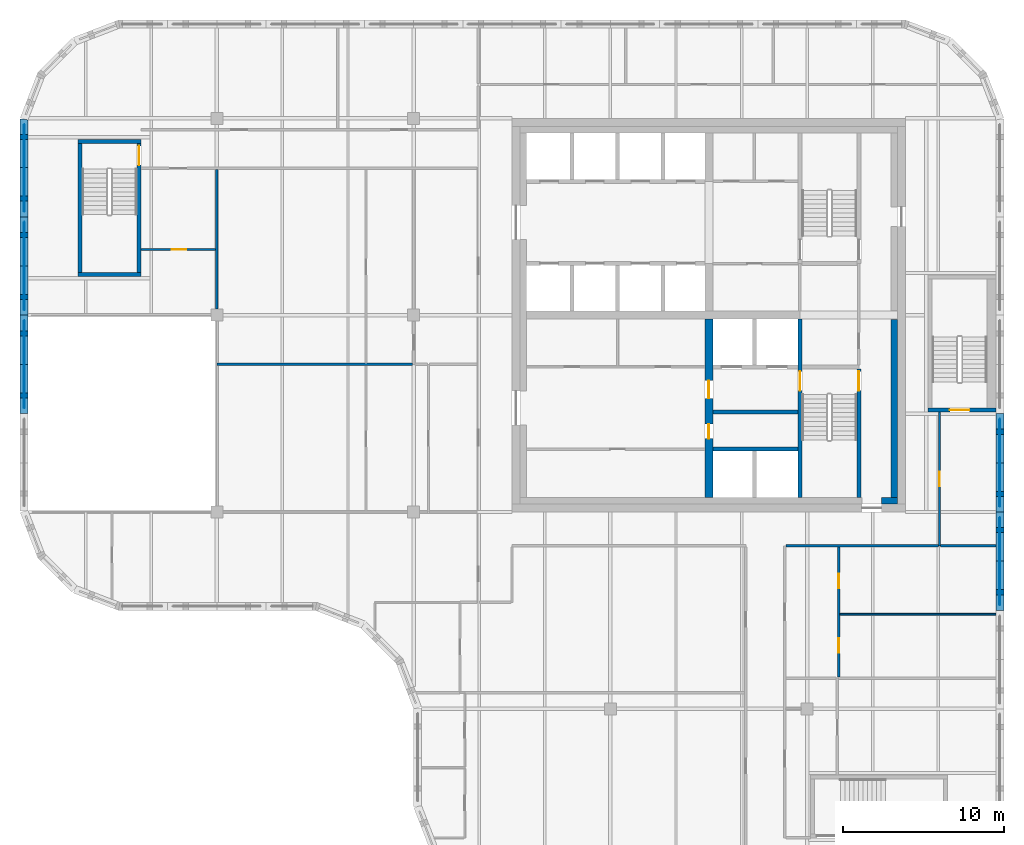
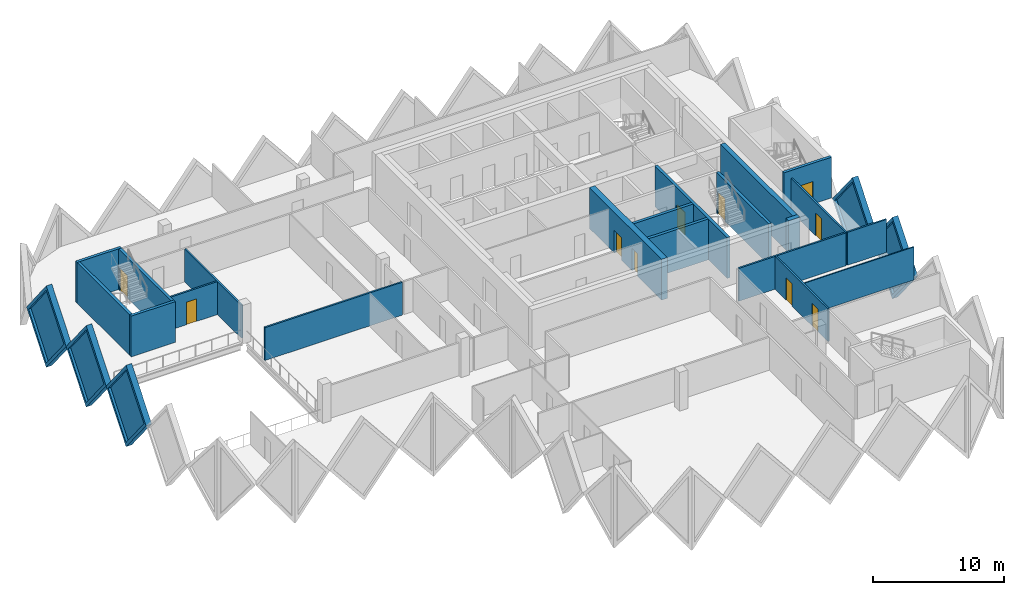
# One storey, part 6 of 11: 25 walls, 10 doors, 5 plates, 15 openings.
"""IFC4 building model written with IfcOpenShell, lengths in metres."""

import ifcopenshell
import ifcopenshell.guid

model = None  # the IFC model being written
_history = None  # IfcOwnerHistory: only IFC2X3 demands one
_inside = {}  # id of a spatial element -> (the spatial element, [elements in it])
_under = {}  # id of a project, library or spatial element -> (it, [spatial elements below it])
_declared = {}  # id of a project -> (the project, [libraries it declares])
_typed = {}  # id of a type object -> (the type object, [elements of that type])
_made_of = {}  # id of a material, layer set ... -> (it, [elements and type objects made of it])


def new_model(schema):
    """Start an empty IFC model of exactly this schema.

    Asked for "IFC4X3", IfcOpenShell would pick the latest addendum, in which some entities
    have other attributes; the version numbers below select the first issue.
    IFC2X3 requires an IfcOwnerHistory on every rooted entity: one is made here for all.
    """
    global model, _history
    if schema == "IFC4X3":
        model = ifcopenshell.file(schema_version=(4, 3, 0, 0))
    else:
        model = ifcopenshell.file(schema=schema)
    _inside.clear()
    _under.clear()
    _declared.clear()
    _typed.clear()
    _made_of.clear()
    _history = None
    if model.schema == "IFC2X3":
        org = make("IfcOrganization", Name="unknown")
        user = make(
            "IfcPersonAndOrganization",
            ThePerson=make("IfcPerson", FamilyName="unknown"),
            TheOrganization=org,
        )
        app = make(
            "IfcApplication",
            ApplicationDeveloper=org,
            Version="unknown",
            ApplicationFullName="unknown",
            ApplicationIdentifier="unknown",
        )
        _history = make(
            "IfcOwnerHistory",
            OwningUser=user,
            OwningApplication=app,
            ChangeAction="ADDED",
            CreationDate=0,
        )
    return model


def make(cls, **values):
    """One entity of the class cls with the attributes given. An attribute that is None is left unset."""
    return model.create_entity(
        cls, **{name: value for name, value in values.items() if value is not None}
    )


def rooted(cls, **values):
    """An entity with a GlobalId (a new one), such as an element, a storey or a relation."""
    return make(cls, GlobalId=ifcopenshell.guid.new(), OwnerHistory=_history, **values)


def si_unit(unit_type, name, prefix=None):
    """IfcSIUnit, for example si_unit("LENGTHUNIT", "METRE", prefix="MILLI")."""
    return make("IfcSIUnit", UnitType=unit_type, Prefix=prefix, Name=name)


def assignment(units):
    """IfcUnitAssignment: the units of a project."""
    return None if units is None else make("IfcUnitAssignment", Units=units)


def point(xyz):
    """IfcCartesianPoint."""
    return None if xyz is None else make("IfcCartesianPoint", Coordinates=xyz)


def direction(xyz):
    """IfcDirection."""
    return None if xyz is None else make("IfcDirection", DirectionRatios=xyz)


def frame(location, z_axis=None, x_axis=None):
    """IfcAxis2Placement3D, a coordinate frame: its origin and axes. An axis left out is left unset."""
    return make(
        "IfcAxis2Placement3D",
        Location=point(location),
        Axis=direction(z_axis),
        RefDirection=direction(x_axis),
    )


def frame_2d(location, x_axis=None):
    """IfcAxis2Placement2D, a coordinate frame in the plane: its origin and x axis."""
    return make(
        "IfcAxis2Placement2D", Location=point(location), RefDirection=direction(x_axis)
    )


def origin():
    """The frame at (0, 0, 0) with its axes left unset."""
    return frame((0.0, 0.0, 0.0))


def place(relative_to, where):
    """IfcLocalPlacement: puts the frame where relative to a parent placement (None: the world)."""
    return make(
        "IfcLocalPlacement", PlacementRelTo=relative_to, RelativePlacement=where
    )


def context(
    kind, dimensions, precision=None, world=None, true_north=None, identifier=None
):
    """IfcGeometricRepresentationContext, for example the 3D "Model" context."""
    return make(
        "IfcGeometricRepresentationContext",
        ContextIdentifier=identifier,
        ContextType=kind,
        CoordinateSpaceDimension=dimensions,
        Precision=precision,
        WorldCoordinateSystem=world,
        TrueNorth=true_north,
    )


def subcontext(parent, identifier, kind, view, scale=None):
    """IfcGeometricRepresentationSubContext, for example "Body" below "Model"."""
    return make(
        "IfcGeometricRepresentationSubContext",
        ContextIdentifier=identifier,
        ContextType=kind,
        ParentContext=parent,
        TargetScale=scale,
        TargetView=view,
    )


def project(units=None, contexts=None):
    """IfcProject with its units and contexts."""
    return rooted(
        "IfcProject",
        Name="project",
        RepresentationContexts=contexts,
        UnitsInContext=assignment(units),
    )


def spatial(cls, under=None, at=None, **own):
    """A site, building, storey or space (cls), placed at a placement, below another one or the project."""
    s = rooted(cls, ObjectPlacement=at, **own)
    if under is not None:
        _under.setdefault(under.id(), (under, []))[1].append(s)
    return s


def polyline(points):
    """IfcPolyline through the points."""
    return make("IfcPolyline", Points=[point(p) for p in points])


def profile(cls, at=None, kind="AREA", **sizes):
    """A parametric profile (cls). Its sizes go by their IFC names, for example OverallWidth=200.0."""
    return make(cls, ProfileType=kind, Position=at, **sizes)


def rectangle(**sizes):
    """IfcRectangleProfileDef."""
    return profile("IfcRectangleProfileDef", **sizes)


def outline(outer, holes=None, kind="AREA"):
    """IfcArbitraryClosedProfileDef: a profile drawn as a closed curve; with holes, ...WithVoids."""
    if holes is None:
        return make("IfcArbitraryClosedProfileDef", ProfileType=kind, OuterCurve=outer)
    return make(
        "IfcArbitraryProfileDefWithVoids",
        ProfileType=kind,
        OuterCurve=outer,
        InnerCurves=holes,
    )


def extrude(swept, where, along, depth):
    """IfcExtrudedAreaSolid: the profile swept, set in the frame where, extruded along a direction by depth."""
    return make(
        "IfcExtrudedAreaSolid",
        SweptArea=swept,
        Position=where,
        ExtrudedDirection=direction(along),
        Depth=depth,
    )


def faces_of(points, faces, orient=None, outer=None):
    """IfcFace entities. A face is a list of loops; a loop is a list of indices into points, from 0.

    orient and outer hold one flag for each loop. By default every Orientation is true, the
    first loop of a face is its IfcFaceOuterBound and the others are IfcFaceBound.
    """
    made = []
    for i, loops in enumerate(faces):
        bounds = []
        for j, loop in enumerate(loops):
            is_outer = j == 0 if outer is None else outer[i][j]
            bounds.append(
                make(
                    "IfcFaceOuterBound" if is_outer else "IfcFaceBound",
                    Bound=make("IfcPolyLoop", Polygon=[points[k] for k in loop]),
                    Orientation=True if orient is None else orient[i][j],
                )
            )
        made.append(make("IfcFace", Bounds=bounds))
    return made


def faceted_brep(points, faces, orient=None, outer=None, voids=None):
    """IfcFacetedBrep: a solid bounded by flat faces; with voids (closed shells), ...WithVoids."""
    shared = [point(p) for p in points]
    hull = make("IfcClosedShell", CfsFaces=faces_of(shared, faces, orient, outer))
    if voids is None:
        return make("IfcFacetedBrep", Outer=hull)
    return make(
        "IfcFacetedBrepWithVoids",
        Outer=hull,
        Voids=[
            make(cls, CfsFaces=faces_of(shared, fs, o, b)) for cls, fs, o, b in voids
        ],
    )


def shape(context_of_items, identifier, shape_type, items):
    """IfcShapeRepresentation: the items that make up one representation, for example the "Body"."""
    return make(
        "IfcShapeRepresentation",
        ContextOfItems=context_of_items,
        RepresentationIdentifier=identifier,
        RepresentationType=shape_type,
        Items=items,
    )


def source(mapping_origin, context_of_items, identifier, shape_type, items):
    """IfcRepresentationMap: a shape defined once, which mapped items show again and again."""
    return make(
        "IfcRepresentationMap",
        MappingOrigin=mapping_origin,
        MappedRepresentation=shape(context_of_items, identifier, shape_type, items),
    )


def transform(
    local_origin,
    x_axis=None,
    y_axis=None,
    z_axis=None,
    scale=None,
    scale2=None,
    scale3=None,
    uniform=True,
):
    """IfcCartesianTransformationOperator3D, or its non-uniform kind. x_axis, y_axis, z_axis: its Axis1, 2, 3."""
    if uniform:
        return make(
            "IfcCartesianTransformationOperator3D",
            Axis1=direction(x_axis),
            Axis2=direction(y_axis),
            LocalOrigin=point(local_origin),
            Scale=scale,
            Axis3=direction(z_axis),
        )
    return make(
        "IfcCartesianTransformationOperator3DnonUniform",
        Axis1=direction(x_axis),
        Axis2=direction(y_axis),
        LocalOrigin=point(local_origin),
        Scale=scale,
        Axis3=direction(z_axis),
        Scale2=scale2,
        Scale3=scale3,
    )


def mapped(mapping_source, mapping_target):
    """IfcMappedItem: shows the shape of a source again, moved by a transform."""
    return make(
        "IfcMappedItem", MappingSource=mapping_source, MappingTarget=mapping_target
    )


def material(Name=None, Category=None):
    """IfcMaterial."""
    return make("IfcMaterial", Name=Name, Category=Category)


def layer(
    of_material, thickness, ventilated=None, Name=None, Category=None, Priority=None
):
    """IfcMaterialLayer: one layer of a wall or slab, of a material (None: an air gap)."""
    return make(
        "IfcMaterialLayer",
        Material=of_material,
        LayerThickness=thickness,
        IsVentilated=ventilated,
        Name=Name,
        Category=Category,
        Priority=Priority,
    )


def layer_set(layers, Name=None):
    """IfcMaterialLayerSet."""
    return make("IfcMaterialLayerSet", MaterialLayers=layers, LayerSetName=Name)


def made_of(thing, what):
    """Note that an element or type object is made of a material, layer set ...; save() writes the relation."""
    if what is not None:
        _made_of.setdefault(what.id(), (what, []))[1].append(thing)
    return thing


def type_object(cls, material=None, **own):
    """A type object (cls), such as IfcWallType, which elements share."""
    return made_of(rooted(cls, **own), material)


def element(
    cls,
    number,
    at=None,
    inside=None,
    cuts=None,
    type_object=None,
    material=None,
    context=None,
    identifier="Body",
    shape_type=None,
    held_by="IfcProductDefinitionShape",
    body=None,
    shapes=None,
    **own,
):
    """One element of the class cls, such as IfcWall. Its Tag is "e" and its number.

    at: its placement. inside: the storey or other place that contains it. cuts: it is an
    opening in that element (IfcRelVoidsElement). A single representation is given by context,
    identifier, shape_type and body (its items); several are given by shapes. held_by: the class
    of the entity that holds the representations. save() writes the other relations.
    """
    e = rooted(cls, Tag="e%d" % number, ObjectPlacement=at, **own)
    if body is not None:
        shapes = [shape(context, identifier, shape_type, body)]
    if shapes is not None:
        e.Representation = make(held_by, Representations=shapes)
    if inside is not None:
        _inside.setdefault(inside.id(), (inside, []))[1].append(e)
    if cuts is not None:
        rooted(
            "IfcRelVoidsElement", RelatingBuildingElement=cuts, RelatedOpeningElement=e
        )
    if type_object is not None:
        _typed.setdefault(type_object.id(), (type_object, []))[1].append(e)
    return made_of(e, material)


def fill(opening, filler):
    """IfcRelFillsElement: the door or window that sits in an opening."""
    return rooted(
        "IfcRelFillsElement",
        RelatingOpeningElement=opening,
        RelatedBuildingElement=filler,
    )


def aggregate(whole, parts):
    """IfcRelAggregates: a whole, such as a stair, and the parts it consists of."""
    return rooted("IfcRelAggregates", RelatingObject=whole, RelatedObjects=parts)


def save(model, path):
    """Write the relations noted so far, then the file.

    IfcRelAggregates (storeys below a building ...), IfcRelContainedInSpatialStructure (elements
    in a storey), IfcRelDefinesByType, IfcRelAssociatesMaterial and IfcRelDeclares: one each for
    every whole, place, type object, material and project.
    """
    for whole, parts in _under.values():
        aggregate(whole, parts)
    for where, things in _inside.values():
        rooted(
            "IfcRelContainedInSpatialStructure",
            RelatedElements=things,
            RelatingStructure=where,
        )
    for kind, things in _typed.values():
        rooted("IfcRelDefinesByType", RelatedObjects=things, RelatingType=kind)
    for what, things in _made_of.values():
        rooted("IfcRelAssociatesMaterial", RelatedObjects=things, RelatingMaterial=what)
    for by, libraries in _declared.values():
        rooted("IfcRelDeclares", RelatingContext=by, RelatedDefinitions=libraries)
    model.write(path)


model = new_model("IFC4")

# Units and contexts
model_context = context("Model", 3, precision=1e-05, world=origin(), true_north=direction((0.0, 1.0)))
body_context = subcontext(model_context, "Body", "Model", "MODEL_VIEW")
ifc_project = project(units=[si_unit("LENGTHUNIT", "METRE"), si_unit("AREAUNIT", "SQUARE_METRE"), si_unit("VOLUMEUNIT", "CUBIC_METRE"), si_unit("PLANEANGLEUNIT", "RADIAN"), si_unit("MASSUNIT", "GRAM", prefix="KILO")], contexts=[model_context])

# Site, building, storey
site_placement = place(None, origin())
site = spatial("IfcSite", under=ifc_project, at=site_placement, CompositionType="ELEMENT")
building_placement = place(site_placement, origin())
building = spatial("IfcBuilding", under=site, at=building_placement, Name="Tessera Gate Towers", CompositionType="ELEMENT")
storey_placement = place(building_placement, frame((0.0, 0.0, 205.5)))
storey = spatial("IfcBuildingStorey", under=building, at=storey_placement, Name="L51", CompositionType="ELEMENT", Elevation=205.5)

# Wall, opening, door
ifc_material_1 = material(Name="Concrete C40/50", Category="concrete")
ifc_layer_1 = layer(ifc_material_1, 0.25)
ifc_layer_set_1 = layer_set([ifc_layer_1], Name="CORE ENCLOSURE WALL 250")
wall_type_1 = type_object("IfcWallType", Name="CORE ENCLOSURE WALL 250", PredefinedType="SOLIDWALL", material=ifc_layer_set_1)
wall_1_placement = place(storey_placement, frame((48.35009765625, 36.35009765625, 0.0), z_axis=(0.0, 0.0, 1.0), x_axis=(0.0, -1.0, 0.0)))
wall_1 = element("IfcWall", 1, at=wall_1_placement, inside=storey, type_object=wall_type_1, Name="L51 shaft and stair enclosure wall", PredefinedType="SOLIDWALL", context=body_context, shape_type="SweptSolid", body=[
    extrude(rectangle(XDim=11.050048828125, YDim=0.25, at=frame_2d((5.52490234375, 0.0))), origin(), (0.0, 0.0, 1.0), 3.800048828125),
])
shared_shape_1 = source(origin(), body_context, "Body", "SweptSolid", [
    extrude(rectangle(XDim=1.199951171875, YDim=2.10009765625, at=frame_2d((0.60009765625, 1.050048828125))), frame((0.0, 0.135009765625, 0.0), z_axis=(0.0, -1.0, 0.0), x_axis=(1.0, 0.0, 0.0)), (0.0, 0.0, 1.0), 0.27001953125),
])
opening_1_placement = place(wall_1_placement, frame((3.22509765625, 0.0, 0.0)))
opening_1 = element("IfcOpeningElement", 2, at=opening_1_placement, cuts=wall_1, Name="Opening SD-ST1-1", PredefinedType="OPENING", context=body_context, shape_type="MappedRepresentation", body=[
    mapped(shared_shape_1, transform((0.0, 0.0, 0.0), scale=1.0)),
])
ifc_material_2 = material(Name="Hollow steel fire door", Category="steel")
door_type_1 = type_object("IfcDoorType", Name="CORE DOOR SD 1200x2100", OperationType="NOTDEFINED", PredefinedType="DOOR", material=ifc_material_2)
shared_shape_2 = source(origin(), body_context, "Body", "SweptSolid", [
    extrude(rectangle(XDim=1.199951171875, YDim=2.10009765625, at=frame_2d((0.60009765625, 1.050048828125))), frame((0.0, 0.02490234375, 0.0), z_axis=(0.0, -1.0, 0.0), x_axis=(1.0, 0.0, 0.0)), (0.0, 0.0, 1.0), 0.050048828125),
])
door_1_placement = place(opening_1_placement, origin())
door_1 = element("IfcDoor", 3, at=door_1_placement, inside=storey, type_object=door_type_1, Name="Stair door", OperationType="SINGLE_SWING_LEFT", OverallHeight=2.10009765625, OverallWidth=1.199951171875, PredefinedType="DOOR", context=body_context, shape_type="MappedRepresentation", body=[
    mapped(shared_shape_2, transform((0.0, 0.0, 0.0), scale=1.0)),
])
fill(opening_1, door_1)

wall_2_placement = place(storey_placement, frame((52.0, 25.300048828125, 0.0), z_axis=(0.0, 0.0, 1.0), x_axis=(0.0, 1.0, 0.0)))
wall_2 = element("IfcWall", 4, at=wall_2_placement, inside=storey, type_object=wall_type_1, Name="L51 shaft and stair enclosure wall", PredefinedType="SOLIDWALL", context=body_context, shape_type="SweptSolid", body=[
    extrude(rectangle(XDim=7.974853515625, YDim=0.25, at=frame_2d((3.9873046875, 0.0))), origin(), (0.0, 0.0, 1.0), 3.800048828125),
])
opening_2_placement = place(wall_2_placement, frame((6.625, 0.0, 0.0)))
opening_2 = element("IfcOpeningElement", 5, at=opening_2_placement, cuts=wall_2, Name="Opening SD-ST1-2", PredefinedType="OPENING", context=body_context, shape_type="MappedRepresentation", body=[
    mapped(shared_shape_1, transform((0.0, 0.0, 0.0), scale=1.0)),
])
door_2_placement = place(opening_2_placement, origin())
door_2 = element("IfcDoor", 6, at=door_2_placement, inside=storey, type_object=door_type_1, Name="Stair door", OperationType="SINGLE_SWING_RIGHT", OverallHeight=2.10009765625, OverallWidth=1.199951171875, PredefinedType="DOOR", context=body_context, shape_type="MappedRepresentation", body=[
    mapped(shared_shape_2, transform((0.0, 0.0, 0.0), scale=1.0)),
])
fill(opening_2, door_2)

# Walls
for number, where, z_axis, x_axis, name in (
    (7, (42.949951171875, 28.300048828125, 0.0), (0.0, 0.0, 1.0), (1.0, 0.0, 0.0), "L51 shaft and stair enclosure wall"),
    (8, (42.949951171875, 30.60009765625, 0.0), (0.0, 0.0, 1.0), (1.0, 0.0, 0.0), "L51 shaft and stair enclosure wall"),
):
    element("IfcWall", number, at=place(storey_placement, frame(where, z_axis=z_axis, x_axis=x_axis)), inside=storey, type_object=wall_type_1, Name=name, PredefinedType="SOLIDWALL", context=body_context, shape_type="SweptSolid", body=[
        extrude(rectangle(XDim=5.275146484375, YDim=0.25, at=frame_2d((2.6376953125, 0.0))), origin(), (0.0, 0.0, 1.0), 3.800048828125),
    ])
wall_3_placement = place(storey_placement, frame((7.5, 39.125, 0.0), z_axis=(0.0, 0.0, 1.0), x_axis=(-1.0, 0.0, 0.0)))
element("IfcWall", 9, at=wall_3_placement, inside=storey, type_object=wall_type_1, Name="L51 ST3 enclosure wall", PredefinedType="SOLIDWALL", context=body_context, shape_type="SweptSolid", body=[
    extrude(rectangle(XDim=3.89990234375, YDim=0.25, at=frame_2d((1.949951171875, 0.0))), origin(), (0.0, 0.0, 1.0), 3.800048828125),
])
wall_4_placement = place(storey_placement, frame((3.72509765625, 39.25, 0.0), z_axis=(0.0, 0.0, 1.0), x_axis=(0.0, 1.0, 0.0)))
element("IfcWall", 10, at=wall_4_placement, inside=storey, type_object=wall_type_1, Name="L51 ST3 enclosure wall", PredefinedType="SOLIDWALL", context=body_context, shape_type="SweptSolid", body=[
    extrude(rectangle(XDim=8.0, YDim=0.25, at=frame_2d((4.0, 0.0))), origin(), (0.0, 0.0, 1.0), 3.800048828125),
])
wall_5_placement = place(storey_placement, frame((3.60009765625, 47.375, 0.0), z_axis=(0.0, 0.0, 1.0), x_axis=(1.0, 0.0, 0.0)))
element("IfcWall", 11, at=wall_5_placement, inside=storey, type_object=wall_type_1, Name="L51 ST3 enclosure wall", PredefinedType="SOLIDWALL", context=body_context, shape_type="SweptSolid", body=[
    extrude(rectangle(XDim=3.89990234375, YDim=0.25, at=frame_2d((1.949951171875, 0.0))), origin(), (0.0, 0.0, 1.0), 3.800048828125),
])

# Wall, opening, door
wall_6_placement = place(storey_placement, frame((7.375, 47.25, 0.0), z_axis=(0.0, 0.0, 1.0), x_axis=(0.0, -1.0, 0.0)))
wall_6 = element("IfcWall", 12, at=wall_6_placement, inside=storey, type_object=wall_type_1, Name="L51 ST3 enclosure wall", PredefinedType="SOLIDWALL", context=body_context, shape_type="SweptSolid", body=[
    extrude(rectangle(XDim=8.0, YDim=0.25, at=frame_2d((4.0, 0.0))), origin(), (0.0, 0.0, 1.0), 3.800048828125),
])
opening_3_placement = place(wall_6_placement, frame((0.14990234375, 0.0, 0.0)))
opening_3 = element("IfcOpeningElement", 13, at=opening_3_placement, cuts=wall_6, Name="Opening SD-ST3-1", PredefinedType="OPENING", context=body_context, shape_type="MappedRepresentation", body=[
    mapped(shared_shape_1, transform((0.0, 0.0, 0.0), scale=1.0)),
])
door_3_placement = place(opening_3_placement, origin())
door_3 = element("IfcDoor", 14, at=door_3_placement, inside=storey, type_object=door_type_1, Name="Stair door", OperationType="SINGLE_SWING_LEFT", OverallHeight=2.10009765625, OverallWidth=1.199951171875, PredefinedType="DOOR", context=body_context, shape_type="MappedRepresentation", body=[
    mapped(shared_shape_2, transform((0.0, 0.0, 0.0), scale=1.0)),
])
fill(opening_3, door_3)

wall_7_placement = place(storey_placement, frame((60.5, 30.72509765625, 0.0), z_axis=(0.0, 0.0, 1.0), x_axis=(-1.0, 0.0, 0.0)))
wall_7 = element("IfcWall", 15, at=wall_7_placement, inside=storey, type_object=wall_type_1, Name="L51 ST5 enclosure wall", PredefinedType="SOLIDWALL", context=body_context, shape_type="SweptSolid", body=[
    extrude(rectangle(XDim=4.199951171875, YDim=0.25, at=frame_2d((2.10009765625, 0.0))), origin(), (0.0, 0.0, 1.0), 3.800048828125),
])
opening_4_placement = place(wall_7_placement, frame((1.64990234375, 0.0, 0.0)))
opening_4 = element("IfcOpeningElement", 16, at=opening_4_placement, cuts=wall_7, Name="Opening SD-ST5-1", PredefinedType="OPENING", context=body_context, shape_type="MappedRepresentation", body=[
    mapped(shared_shape_1, transform((0.0, 0.0, 0.0), scale=1.0)),
])
door_4_placement = place(opening_4_placement, origin())
door_4 = element("IfcDoor", 17, at=door_4_placement, inside=storey, type_object=door_type_1, Name="Stair door", OperationType="SINGLE_SWING_RIGHT", OverallHeight=2.10009765625, OverallWidth=1.199951171875, PredefinedType="DOOR", context=body_context, shape_type="MappedRepresentation", body=[
    mapped(shared_shape_2, transform((0.0, 0.0, 0.0), scale=1.0)),
])
fill(opening_4, door_4)

# Wall, openings, doors
ifc_material_3 = material(Name="Concrete C50/60", Category="concrete")
ifc_layer_2 = layer(ifc_material_3, 0.5)
ifc_layer_set_2 = layer_set([ifc_layer_2], Name="CORE SPINE WALL 500 C50/60")
wall_type_2 = type_object("IfcWallType", Name="CORE SPINE WALL 500 C50/60", PredefinedType="SHEAR", material=ifc_layer_set_2)
wall_8_placement = place(storey_placement, frame((42.699951171875, 36.35009765625, 0.0), z_axis=(0.0, 0.0, 1.0), x_axis=(0.0, -1.0, 0.0)))
wall_8 = element("IfcWall", 18, at=wall_8_placement, inside=storey, type_object=wall_type_2, Name="Core wall spine L51", PredefinedType="SHEAR", context=body_context, shape_type="SweptSolid", body=[
    extrude(rectangle(XDim=11.050048828125, YDim=0.5, at=frame_2d((5.52490234375, 0.0))), origin(), (0.0, 0.0, 1.0), 3.800048828125),
])
shared_shape_3 = source(origin(), body_context, "Body", "SweptSolid", [
    extrude(rectangle(XDim=0.89990234375, YDim=2.10009765625, at=frame_2d((0.449951171875, 1.050048828125))), frame((0.0, 0.260009765625, 0.0), z_axis=(0.0, -1.0, 0.0), x_axis=(1.0, 0.0, 0.0)), (0.0, 0.0, 1.0), 0.52001953125),
])
opening_5_placement = place(wall_8_placement, frame((6.5, 0.0, 0.0)))
opening_5 = element("IfcOpeningElement", 19, at=opening_5_placement, cuts=wall_8, Name="Opening RD-T1-31-05", PredefinedType="OPENING", context=body_context, shape_type="MappedRepresentation", body=[
    mapped(shared_shape_3, transform((0.0, 0.0, 0.0), scale=1.0)),
])
shared_shape_4 = source(origin(), body_context, "Body", "SweptSolid", [
    extrude(rectangle(XDim=1.10009765625, YDim=2.10009765625, at=frame_2d((0.550048828125, 1.050048828125))), frame((0.0, 0.260009765625, 0.0), z_axis=(0.0, -1.0, 0.0), x_axis=(1.0, 0.0, 0.0)), (0.0, 0.0, 1.0), 0.52001953125),
])
opening_6_placement = place(wall_8_placement, frame((3.800048828125, 0.0, 0.0)))
opening_6 = element("IfcOpeningElement", 20, at=opening_6_placement, cuts=wall_8, Name="Opening FD-T1-31-06", PredefinedType="OPENING", context=body_context, shape_type="MappedRepresentation", body=[
    mapped(shared_shape_4, transform((0.0, 0.0, 0.0), scale=1.0)),
])
ifc_material_4 = material(Name="Hollow steel fire door", Category="steel")
door_type_2 = type_object("IfcDoorType", Name="CORE DOOR RD 900x2100", OperationType="NOTDEFINED", PredefinedType="DOOR", material=ifc_material_4)
shared_shape_5 = source(origin(), body_context, "Body", "SweptSolid", [
    extrude(rectangle(XDim=0.89990234375, YDim=2.10009765625, at=frame_2d((0.449951171875, 1.050048828125))), frame((0.0, 0.02490234375, 0.0), z_axis=(0.0, -1.0, 0.0), x_axis=(1.0, 0.0, 0.0)), (0.0, 0.0, 1.0), 0.050048828125),
])
door_5_placement = place(opening_5_placement, origin())
door_5 = element("IfcDoor", 21, at=door_5_placement, inside=storey, type_object=door_type_2, Name="Core room door", OperationType="SINGLE_SWING_RIGHT", OverallHeight=2.10009765625, OverallWidth=0.89990234375, PredefinedType="DOOR", context=body_context, shape_type="MappedRepresentation", body=[
    mapped(shared_shape_5, transform((0.0, 0.0, 0.0), scale=1.0)),
])
fill(opening_5, door_5)
ifc_material_5 = material(Name="Hollow steel fire door", Category="steel")
door_type_3 = type_object("IfcDoorType", Name="CORE DOOR FD 1100x2100", OperationType="NOTDEFINED", PredefinedType="DOOR", material=ifc_material_5)
shared_shape_6 = source(origin(), body_context, "Body", "SweptSolid", [
    extrude(rectangle(XDim=1.10009765625, YDim=2.10009765625, at=frame_2d((0.550048828125, 1.050048828125))), frame((0.0, 0.02490234375, 0.0), z_axis=(0.0, -1.0, 0.0), x_axis=(1.0, 0.0, 0.0)), (0.0, 0.0, 1.0), 0.050048828125),
])
door_6_placement = place(opening_6_placement, origin())
door_6 = element("IfcDoor", 22, at=door_6_placement, inside=storey, type_object=door_type_3, Name="Fire-fighting lobby door", OperationType="SINGLE_SWING_LEFT", OverallHeight=2.10009765625, OverallWidth=1.10009765625, PredefinedType="DOOR", context=body_context, shape_type="MappedRepresentation", body=[
    mapped(shared_shape_6, transform((0.0, 0.0, 0.0), scale=1.0)),
])
fill(opening_6, door_6)

# Walls
ifc_material_6 = material(Name="Concrete C50/60", Category="concrete")
ifc_layer_3 = layer(ifc_material_6, 0.39990234375)
ifc_layer_set_3 = layer_set([ifc_layer_3], Name="CORE WALL THICKENING 400")
wall_type_3 = type_object("IfcWallType", Name="CORE WALL THICKENING 400", PredefinedType="SOLIDWALL", material=ifc_layer_set_3)
wall_9_placement = place(storey_placement, frame((53.39990234375, 25.10009765625, 0.0), z_axis=(0.0, 0.0, 1.0), x_axis=(1.0, 0.0, 0.0)))
element("IfcWall", 23, at=wall_9_placement, inside=storey, type_object=wall_type_3, Name="Core wall thickening S L51", PredefinedType="SOLIDWALL", context=body_context, shape_type="SweptSolid", body=[
    extrude(rectangle(XDim=1.0, YDim=0.39990234375, at=frame_2d((0.5, 0.0))), origin(), (0.0, 0.0, 1.0), 3.800048828125),
])
wall_10_placement = place(storey_placement, frame((54.199951171875, 25.300048828125, 0.0), z_axis=(0.0, 0.0, 1.0), x_axis=(0.0, 1.0, 0.0)))
element("IfcWall", 24, at=wall_10_placement, inside=storey, type_object=wall_type_3, Name="Core wall thickening E L51", PredefinedType="SOLIDWALL", context=body_context, shape_type="SweptSolid", body=[
    extrude(rectangle(XDim=11.02001953125, YDim=0.39990234375, at=frame_2d((5.510009765625, 0.0))), origin(), (0.0, 0.0, 1.0), 3.800048828125),
])
ifc_material_7 = material(Name="Gypsum board on steel studs, mineral wool", Category="steel")
ifc_layer_4 = layer(ifc_material_7, 0.14990234375)
ifc_layer_set_4 = layer_set([ifc_layer_4], Name="CORRIDOR WALL 150")
wall_type_4 = type_object("IfcWallType", Name="CORRIDOR WALL 150", PredefinedType="PARTITIONING", material=ifc_layer_set_4)
wall_11_placement = place(storey_placement, frame((47.47607421875, 22.300048828125, 0.0), z_axis=(0.0, 0.0, 1.0), x_axis=(1.0, 0.0, 0.0)))
element("IfcWall", 25, at=wall_11_placement, inside=storey, type_object=wall_type_4, Name="T1-L51-PW-027", PredefinedType="PARTITIONING", context=body_context, shape_type="SweptSolid", body=[
    extrude(rectangle(XDim=9.447998046875, YDim=0.14990234375, at=frame_2d((4.72412109375, 0.0))), origin(), (0.0, 0.0, 1.0), 3.06689453125),
])

# Wall, opening, door
wall_12_placement = place(storey_placement, frame((57.0, 30.60009765625, 0.0), z_axis=(0.0, 0.0, 1.0), x_axis=(0.0, -1.0, 0.0)))
wall_12 = element("IfcWall", 26, at=wall_12_placement, inside=storey, type_object=wall_type_4, Name="T1-L51-PW-028", PredefinedType="PARTITIONING", context=body_context, shape_type="SweptSolid", body=[
    extrude(rectangle(XDim=8.300048828125, YDim=0.14990234375, at=frame_2d((4.14990234375, 0.0))), origin(), (0.0, 0.0, 1.0), 3.06689453125),
])
shared_shape_7 = source(origin(), body_context, "Body", "SweptSolid", [
    extrude(rectangle(XDim=0.89990234375, YDim=2.10009765625, at=frame_2d((0.449951171875, 1.050048828125))), frame((0.0, 0.0849609375, 0.0), z_axis=(0.0, -1.0, 0.0), x_axis=(1.0, 0.0, 0.0)), (0.0, 0.0, 1.0), 0.169921875),
])
opening_7_placement = place(wall_12_placement, frame((3.699951171875, 0.0, 0.0)))
opening_7 = element("IfcOpeningElement", 27, at=opening_7_placement, cuts=wall_12, Name="Opening D890FD60-A18-02", PredefinedType="OPENING", context=body_context, shape_type="MappedRepresentation", body=[
    mapped(shared_shape_7, transform((0.0, 0.0, 0.0), scale=1.0)),
])
ifc_material_8 = material(Name="Timber door leaf in steel frame", Category="steel")
door_type_4 = type_object("IfcDoorType", Name="CORRIDOR DOOR 900 FD60", OperationType="NOTDEFINED", PredefinedType="DOOR", material=ifc_material_8)
door_7_placement = place(opening_7_placement, origin())
door_7 = element("IfcDoor", 28, at=door_7_placement, inside=storey, type_object=door_type_4, Name="T1-L51-PD-012", OperationType="SINGLE_SWING_RIGHT", OverallHeight=2.10009765625, OverallWidth=0.89990234375, PredefinedType="DOOR", context=body_context, shape_type="MappedRepresentation", body=[
    mapped(shared_shape_5, transform((0.0, 0.0, 0.0), scale=1.0)),
])
fill(opening_7, door_7)

# Wall
ifc_material_9 = material(Name="Gypsum board on steel studs", Category="steel")
ifc_layer_5 = layer(ifc_material_9, 0.10009765625)
ifc_layer_set_5 = layer_set([ifc_layer_5], Name="PARTITION 100")
wall_type_5 = type_object("IfcWallType", Name="PARTITION 100", PredefinedType="PARTITIONING", material=ifc_layer_set_5)
wall_13_placement = place(storey_placement, frame((50.825927734375, 18.06103515625, 0.0), z_axis=(0.0, 0.0, 1.0), x_axis=(1.0, 0.0, 0.0)))
element("IfcWall", 29, at=wall_13_placement, inside=storey, type_object=wall_type_5, Name="T1-L51-PW-019", PredefinedType="PARTITIONING", context=body_context, shape_type="SweptSolid", body=[
    extrude(rectangle(XDim=9.674072265625, YDim=0.10009765625, at=frame_2d((4.8369140625, 0.0))), origin(), (0.0, 0.0, 1.0), 3.06689453125),
])

# Wall, openings, doors
ifc_material_10 = material(Name="Gypsum board on steel studs, mineral wool", Category="steel")
ifc_layer_6 = layer(ifc_material_10, 0.14990234375)
ifc_layer_set_6 = layer_set([ifc_layer_6], Name="TENANCY WALL 150")
wall_type_6 = type_object("IfcWallType", Name="TENANCY WALL 150", PredefinedType="PARTITIONING", material=ifc_layer_set_6)
wall_14_placement = place(storey_placement, frame((50.75, 22.22412109375, 0.0), z_axis=(0.0, 0.0, 1.0), x_axis=(0.0, -1.0, 0.0)))
wall_14 = element("IfcWall", 30, at=wall_14_placement, inside=storey, type_object=wall_type_6, Name="T1-L51-PW-017", PredefinedType="PARTITIONING", context=body_context, shape_type="SweptSolid", body=[
    extrude(rectangle(XDim=8.048095703125, YDim=0.14990234375, at=frame_2d((4.02392578125, 0.0))), origin(), (0.0, 0.0, 1.0), 3.06689453125),
])
opening_8_placement = place(wall_14_placement, frame((5.64794921875, 0.0, 0.0)))
opening_8 = element("IfcOpeningElement", 31, at=opening_8_placement, cuts=wall_14, Name="Opening D190-A18-01", PredefinedType="OPENING", context=body_context, shape_type="MappedRepresentation", body=[
    mapped(shared_shape_7, transform((0.0, 0.0, 0.0), scale=1.0)),
])
opening_9_placement = place(wall_14_placement, frame((1.66259765625, 0.0, 0.0)))
opening_9 = element("IfcOpeningElement", 32, at=opening_9_placement, cuts=wall_14, Name="Opening D190-A18-02", PredefinedType="OPENING", context=body_context, shape_type="MappedRepresentation", body=[
    mapped(shared_shape_7, transform((0.0, 0.0, 0.0), scale=1.0)),
])
ifc_material_11 = material(Name="Timber door leaf in steel frame", Category="steel")
door_type_5 = type_object("IfcDoorType", Name="INTERNAL DOOR 900 NOT RATED", OperationType="NOTDEFINED", PredefinedType="DOOR", material=ifc_material_11)
door_8_placement = place(opening_8_placement, origin())
door_8 = element("IfcDoor", 33, at=door_8_placement, inside=storey, type_object=door_type_5, Name="T1-L51-PD-002", OperationType="SINGLE_SWING_RIGHT", OverallHeight=2.10009765625, OverallWidth=0.89990234375, PredefinedType="DOOR", context=body_context, shape_type="MappedRepresentation", body=[
    mapped(shared_shape_5, transform((0.0, 0.0, 0.0), scale=1.0)),
])
fill(opening_8, door_8)
door_9_placement = place(opening_9_placement, origin())
door_9 = element("IfcDoor", 34, at=door_9_placement, inside=storey, type_object=door_type_5, Name="T1-L51-PD-003", OperationType="SINGLE_SWING_RIGHT", OverallHeight=2.10009765625, OverallWidth=0.89990234375, PredefinedType="DOOR", context=body_context, shape_type="MappedRepresentation", body=[
    mapped(shared_shape_5, transform((0.0, 0.0, 0.0), scale=1.0)),
])
fill(opening_9, door_9)

# Walls
wall_15_placement = place(storey_placement, frame((57.075927734375, 22.300048828125, 0.0), z_axis=(0.0, 0.0, 1.0), x_axis=(1.0, 0.0, 0.0)))
element("IfcWall", 35, at=wall_15_placement, inside=storey, type_object=wall_type_6, Name="T1-L51-PW-029", PredefinedType="PARTITIONING", context=body_context, shape_type="SweptSolid", body=[
    extrude(rectangle(XDim=3.424072265625, YDim=0.14990234375, at=frame_2d((1.7119140625, 0.0))), origin(), (0.0, 0.0, 1.0), 3.06689453125),
])
wall_16_placement = place(storey_placement, frame((12.199951171875, 33.550048828125, 0.0), z_axis=(0.0, 0.0, 1.0), x_axis=(1.0, 0.0, 0.0)))
element("IfcWall", 36, at=wall_16_placement, inside=storey, type_object=wall_type_6, Name="T1-L51-PW-035", PredefinedType="PARTITIONING", context=body_context, shape_type="SweptSolid", body=[
    extrude(rectangle(XDim=12.1240234375, YDim=0.14990234375, at=frame_2d((6.06201171875, 0.0))), origin(), (0.0, 0.0, 1.0), 3.06689453125),
])
wall_17_placement = place(storey_placement, frame((12.199951171875, 36.97607421875, 0.0), z_axis=(0.0, 0.0, 1.0), x_axis=(0.0, 1.0, 0.0)))
element("IfcWall", 37, at=wall_17_placement, inside=storey, type_object=wall_type_6, Name="T1-L51-PW-040", PredefinedType="PARTITIONING", context=body_context, shape_type="SweptSolid", body=[
    extrude(rectangle(XDim=8.64794921875, YDim=0.14990234375, at=frame_2d((4.323974609375, 0.0))), origin(), (0.0, 0.0, 1.0), 3.06689453125),
])

# Wall, opening, door
wall_18_placement = place(storey_placement, frame((12.1240234375, 40.675048828125, 0.0), z_axis=(0.0, 0.0, 1.0), x_axis=(-1.0, 0.0, 0.0)))
wall_18 = element("IfcWall", 38, at=wall_18_placement, inside=storey, type_object=wall_type_6, Name="T1-L51-PW-042", PredefinedType="PARTITIONING", context=body_context, shape_type="SweptSolid", body=[
    extrude(rectangle(XDim=4.6240234375, YDim=0.14990234375, at=frame_2d((2.31201171875, 0.0))), origin(), (0.0, 0.0, 1.0), 3.06689453125),
])
opening_10_placement = place(wall_18_placement, frame((1.823974609375, 0.0, 0.0)))
opening_10 = element("IfcOpeningElement", 39, at=opening_10_placement, cuts=wall_18, Name="Opening D190-A18-03", PredefinedType="OPENING", context=body_context, shape_type="MappedRepresentation", body=[
    mapped(shared_shape_7, transform((0.0, 0.0, 0.0), scale=1.0)),
])
door_10_placement = place(opening_10_placement, origin())
door_10 = element("IfcDoor", 40, at=door_10_placement, inside=storey, type_object=door_type_5, Name="T1-L51-PD-005", OperationType="SINGLE_SWING_RIGHT", OverallHeight=2.10009765625, OverallWidth=0.89990234375, PredefinedType="DOOR", context=body_context, shape_type="MappedRepresentation", body=[
    mapped(shared_shape_5, transform((0.0, 0.0, 0.0), scale=1.0)),
])
fill(opening_10, door_10)

# Wall, opening, plate
ifc_material_12 = material(Name="Precast concrete C60/75 white", Category="concrete")
ifc_layer_7 = layer(ifc_material_12, 0.5)
ifc_layer_set_7 = layer_set([ifc_layer_7], Name="TS1 tessera")
wall_type_7 = type_object("IfcWallType", Name="TS1 tessera", PredefinedType="SOLIDWALL", material=ifc_layer_set_7)
shared_shape_8 = source(origin(), body_context, "Body", "Brep", [
    faceted_brep([(3.00341796875, -0.25, 0.0), (6.053466796875, -0.25, 3.800048828125), (3.00341796875, -0.25, 7.60009765625), (0.0, -0.25, 3.800048828125), (0.046630859375, 0.25, 3.85888671875), (3.00341796875, 0.25, 7.60009765625), (6.053466796875, 0.25, 3.800048828125), (3.00341796875, 0.25, 0.0), (0.046630859375, 0.25, 3.7412109375), (0.0, 0.0, 3.800048828125)], [[[0, 1, 2, 3]], [[4, 5, 6, 7, 8]], [[7, 6, 1, 0]], [[6, 5, 2, 1]], [[5, 4, 9, 3, 2]], [[8, 7, 0, 3, 9]], [[8, 9, 4]]]),
])
wall_19_placement = place(storey_placement, frame((0.25, 48.75341796875, -3.800048828125), z_axis=(0.0, 0.0, 1.0), x_axis=(0.0, -1.0, 0.0)))
wall_19 = element("IfcWall", 41, at=wall_19_placement, inside=storey, type_object=wall_type_7, Name="Precast tessera T1 TS1-0891", PredefinedType="SOLIDWALL", context=body_context, shape_type="MappedRepresentation", body=[
    mapped(shared_shape_8, transform((0.0, 0.0, 0.0), scale=1.0)),
])
shared_shape_9 = source(origin(), body_context, "Body", "SweptSolid", [
    extrude(outline(polyline([(3.0048828125, 0.4013671875), (5.73291015625, 3.800048828125), (3.0048828125, 7.19873046875), (0.318603515625, 3.800048828125), (3.0048828125, 0.4013671875)])), frame((0.0, 0.260009765625, 0.0), z_axis=(0.0, -1.0, 0.0), x_axis=(1.0, 0.0, 0.0)), (0.0, 0.0, 1.0), 0.52001953125),
])
opening_11_placement = place(wall_19_placement, origin())
opening_11 = element("IfcOpeningElement", 42, at=opening_11_placement, cuts=wall_19, Name="Opening T1-PL2-1817", PredefinedType="OPENING", context=body_context, shape_type="MappedRepresentation", body=[
    mapped(shared_shape_9, transform((0.0, 0.0, 0.0), scale=1.0)),
])
ifc_material_13 = material(Name="Low-e laminated glass", Category="glass")
ifc_layer_8 = layer(ifc_material_13, 0.06005859375)
ifc_layer_set_8 = layer_set([ifc_layer_8], Name="PL2 rhombic pane")
plate_type = type_object("IfcPlateType", Name="PL2 rhombic pane", PredefinedType="SHEET", material=ifc_layer_set_8)
shared_shape_10 = source(origin(), body_context, "Body", "SweptSolid", [
    extrude(outline(polyline([(3.0048828125, 0.4013671875), (5.73291015625, 3.800048828125), (3.0048828125, 7.19873046875), (0.318603515625, 3.800048828125), (3.0048828125, 0.4013671875)])), frame((0.0, 0.030029296875, 0.0), z_axis=(0.0, -1.0, 0.0), x_axis=(1.0, 0.0, 0.0)), (0.0, 0.0, 1.0), 0.06005859375),
])
plate_1_placement = place(opening_11_placement, origin())
plate_1 = element("IfcPlate", 43, at=plate_1_placement, inside=storey, type_object=plate_type, Name="Glass pane T1 PL2-1817", PredefinedType="SHEET", context=body_context, shape_type="MappedRepresentation", body=[
    mapped(shared_shape_10, transform((0.0, 0.0, 0.0), scale=1.0)),
])
fill(opening_11, plate_1)

shared_shape_11 = source(origin(), body_context, "Body", "Brep", [
    faceted_brep([(3.050048828125, -0.25, 0.0), (6.099853515625, -0.25, 3.7998046875), (6.099853515625, -0.25, 3.80029296875), (3.050048828125, -0.25, 7.60009765625), (0.0, -0.25, 3.800048828125), (0.0, 0.25, 3.800048828125), (3.050048828125, 0.25, 7.60009765625), (6.099853515625, 0.25, 3.80029296875), (6.099853515625, 0.25, 3.7998046875), (3.050048828125, 0.25, 0.0)], [[[0, 1, 2, 3, 4]], [[5, 6, 7, 8, 9]], [[9, 8, 1, 0]], [[7, 6, 3, 2]], [[6, 5, 4, 3]], [[5, 9, 0, 4]], [[1, 8, 7, 2]]]),
])
wall_20_placement = place(storey_placement, frame((60.75, 18.300048828125, -3.800048828125), z_axis=(0.0, 0.0, 1.0), x_axis=(0.0, 1.0, 0.0)))
wall_20 = element("IfcWall", 44, at=wall_20_placement, inside=storey, type_object=wall_type_7, Name="Precast tessera T1 TS1-0879", PredefinedType="SOLIDWALL", context=body_context, shape_type="MappedRepresentation", body=[
    mapped(shared_shape_11, transform((0.0, 0.0, 0.0), scale=1.0)),
])
shared_shape_12 = source(origin(), body_context, "Body", "SweptSolid", [
    extrude(outline(polyline([(3.050048828125, 0.3994140625), (5.779541015625, 3.800048828125), (3.050048828125, 7.20068359375), (0.320556640625, 3.800048828125), (3.050048828125, 0.3994140625)])), frame((0.0, 0.260009765625, 0.0), z_axis=(0.0, -1.0, 0.0), x_axis=(1.0, 0.0, 0.0)), (0.0, 0.0, 1.0), 0.52001953125),
])
opening_12_placement = place(wall_20_placement, origin())
opening_12 = element("IfcOpeningElement", 45, at=opening_12_placement, cuts=wall_20, Name="Opening T1-PL2-1797", PredefinedType="OPENING", context=body_context, shape_type="MappedRepresentation", body=[
    mapped(shared_shape_12, transform((0.0, 0.0, 0.0), scale=1.0)),
])
shared_shape_13 = source(origin(), body_context, "Body", "SweptSolid", [
    extrude(outline(polyline([(3.050048828125, 0.3994140625), (5.779541015625, 3.800048828125), (3.050048828125, 7.20068359375), (0.320556640625, 3.800048828125), (3.050048828125, 0.3994140625)])), frame((0.0, 0.030029296875, 0.0), z_axis=(0.0, -1.0, 0.0), x_axis=(1.0, 0.0, 0.0)), (0.0, 0.0, 1.0), 0.06005859375),
])
plate_2_placement = place(opening_12_placement, origin())
plate_2 = element("IfcPlate", 46, at=plate_2_placement, inside=storey, type_object=plate_type, Name="Glass pane T1 PL2-1797", PredefinedType="SHEET", context=body_context, shape_type="MappedRepresentation", body=[
    mapped(shared_shape_13, transform((0.0, 0.0, 0.0), scale=1.0)),
])
fill(opening_12, plate_2)

wall_21_placement = place(storey_placement, frame((0.25, 42.699951171875, -3.800048828125), z_axis=(0.0, 0.0, 1.0), x_axis=(0.0, -1.0, 0.0)))
wall_21 = element("IfcWall", 47, at=wall_21_placement, inside=storey, type_object=wall_type_7, Name="Precast tessera T1 TS1-0892", PredefinedType="SOLIDWALL", context=body_context, shape_type="MappedRepresentation", body=[
    mapped(shared_shape_11, transform((0.0, 0.0, 0.0), scale=1.0)),
])
opening_13_placement = place(wall_21_placement, origin())
opening_13 = element("IfcOpeningElement", 48, at=opening_13_placement, cuts=wall_21, Name="Opening T1-PL2-1818", PredefinedType="OPENING", context=body_context, shape_type="MappedRepresentation", body=[
    mapped(shared_shape_12, transform((0.0, 0.0, 0.0), scale=1.0)),
])
plate_3_placement = place(opening_13_placement, origin())
plate_3 = element("IfcPlate", 49, at=plate_3_placement, inside=storey, type_object=plate_type, Name="Glass pane T1 PL2-1818", PredefinedType="SHEET", context=body_context, shape_type="MappedRepresentation", body=[
    mapped(shared_shape_13, transform((0.0, 0.0, 0.0), scale=1.0)),
])
fill(opening_13, plate_3)

shared_shape_14 = source(origin(), body_context, "Body", "SweptSolid", [
    extrude(outline(polyline([(3.050048828125, 0.0), (6.10009765625, 3.800048828125), (3.050048828125, 7.60009765625), (0.0, 3.800048828125), (3.050048828125, 0.0)])), frame((0.0, 0.25, 0.0), z_axis=(0.0, -1.0, 0.0), x_axis=(1.0, 0.0, 0.0)), (0.0, 0.0, 1.0), 0.5),
])
wall_22_placement = place(storey_placement, frame((60.75, 24.39990234375, -3.800048828125), z_axis=(0.0, 0.0, 1.0), x_axis=(0.0, 1.0, 0.0)))
wall_22 = element("IfcWall", 50, at=wall_22_placement, inside=storey, type_object=wall_type_7, Name="Precast tessera T1 TS1-0880", PredefinedType="SOLIDWALL", context=body_context, shape_type="MappedRepresentation", body=[
    mapped(shared_shape_14, transform((0.0, 0.0, 0.0), scale=1.0)),
])
opening_14_placement = place(wall_22_placement, origin())
opening_14 = element("IfcOpeningElement", 51, at=opening_14_placement, cuts=wall_22, Name="Opening T1-PL2-1798", PredefinedType="OPENING", context=body_context, shape_type="MappedRepresentation", body=[
    mapped(shared_shape_12, transform((0.0, 0.0, 0.0), scale=1.0)),
])
plate_4_placement = place(opening_14_placement, origin())
plate_4 = element("IfcPlate", 52, at=plate_4_placement, inside=storey, type_object=plate_type, Name="Glass pane T1 PL2-1798", PredefinedType="SHEET", context=body_context, shape_type="MappedRepresentation", body=[
    mapped(shared_shape_13, transform((0.0, 0.0, 0.0), scale=1.0)),
])
fill(opening_14, plate_4)

wall_23_placement = place(storey_placement, frame((0.25, 36.60009765625, -3.800048828125), z_axis=(0.0, 0.0, 1.0), x_axis=(0.0, -1.0, 0.0)))
wall_23 = element("IfcWall", 53, at=wall_23_placement, inside=storey, type_object=wall_type_7, Name="Precast tessera T1 TS1-0893", PredefinedType="SOLIDWALL", context=body_context, shape_type="MappedRepresentation", body=[
    mapped(shared_shape_14, transform((0.0, 0.0, 0.0), scale=1.0)),
])
opening_15_placement = place(wall_23_placement, origin())
opening_15 = element("IfcOpeningElement", 54, at=opening_15_placement, cuts=wall_23, Name="Opening T1-PL2-1819", PredefinedType="OPENING", context=body_context, shape_type="MappedRepresentation", body=[
    mapped(shared_shape_12, transform((0.0, 0.0, 0.0), scale=1.0)),
])
plate_5_placement = place(opening_15_placement, origin())
plate_5 = element("IfcPlate", 55, at=plate_5_placement, inside=storey, type_object=plate_type, Name="Glass pane T1 PL2-1819", PredefinedType="SHEET", context=body_context, shape_type="MappedRepresentation", body=[
    mapped(shared_shape_13, transform((0.0, 0.0, 0.0), scale=1.0)),
])
fill(opening_15, plate_5)

save(model, "model.ifc")
